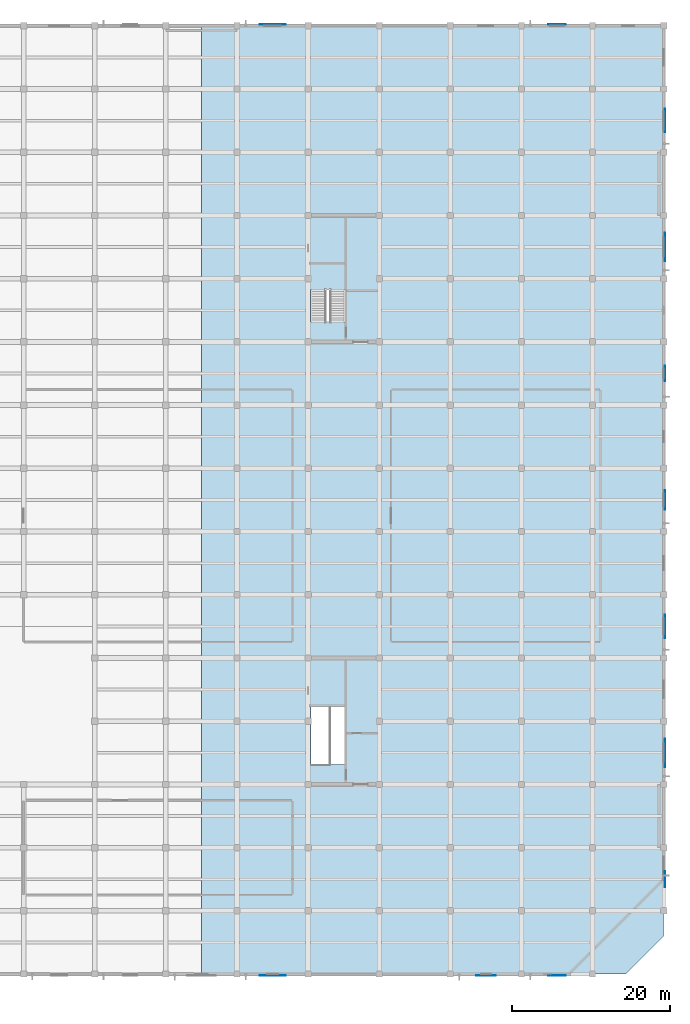
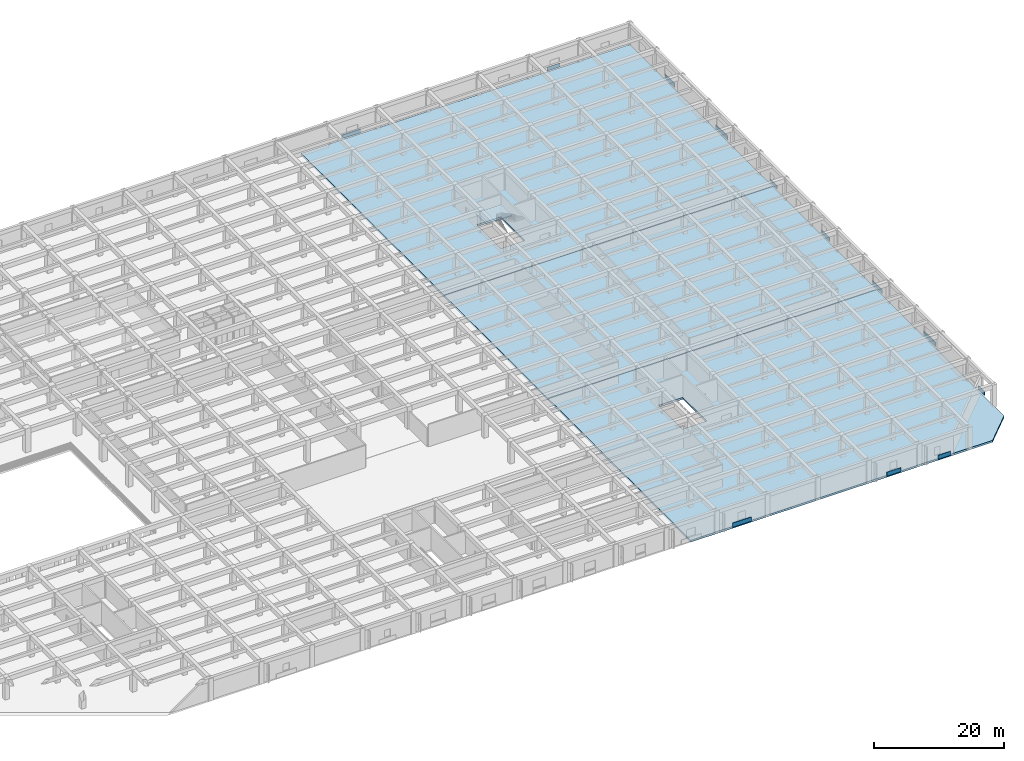
# One storey, part 8 of 32: 12 plates, 4 slabs, 1 element without a shape of its own.
"""IFC4 building model written with IfcOpenShell, lengths in metres."""

import ifcopenshell
import ifcopenshell.guid

model = None  # the IFC model being written
_history = None  # IfcOwnerHistory: only IFC2X3 demands one
_inside = {}  # id of a spatial element -> (the spatial element, [elements in it])
_under = {}  # id of a project, library or spatial element -> (it, [spatial elements below it])
_declared = {}  # id of a project -> (the project, [libraries it declares])
_typed = {}  # id of a type object -> (the type object, [elements of that type])
_made_of = {}  # id of a material, layer set ... -> (it, [elements and type objects made of it])


def new_model(schema):
    """Start an empty IFC model of exactly this schema.

    Asked for "IFC4X3", IfcOpenShell would pick the latest addendum, in which some entities
    have other attributes; the version numbers below select the first issue.
    IFC2X3 requires an IfcOwnerHistory on every rooted entity: one is made here for all.
    """
    global model, _history
    if schema == "IFC4X3":
        model = ifcopenshell.file(schema_version=(4, 3, 0, 0))
    else:
        model = ifcopenshell.file(schema=schema)
    _inside.clear()
    _under.clear()
    _declared.clear()
    _typed.clear()
    _made_of.clear()
    _history = None
    if model.schema == "IFC2X3":
        org = make("IfcOrganization", Name="unknown")
        user = make(
            "IfcPersonAndOrganization",
            ThePerson=make("IfcPerson", FamilyName="unknown"),
            TheOrganization=org,
        )
        app = make(
            "IfcApplication",
            ApplicationDeveloper=org,
            Version="unknown",
            ApplicationFullName="unknown",
            ApplicationIdentifier="unknown",
        )
        _history = make(
            "IfcOwnerHistory",
            OwningUser=user,
            OwningApplication=app,
            ChangeAction="ADDED",
            CreationDate=0,
        )
    return model


def make(cls, **values):
    """One entity of the class cls with the attributes given. An attribute that is None is left unset."""
    return model.create_entity(
        cls, **{name: value for name, value in values.items() if value is not None}
    )


def rooted(cls, **values):
    """An entity with a GlobalId (a new one), such as an element, a storey or a relation."""
    return make(cls, GlobalId=ifcopenshell.guid.new(), OwnerHistory=_history, **values)


def si_unit(unit_type, name, prefix=None):
    """IfcSIUnit, for example si_unit("LENGTHUNIT", "METRE", prefix="MILLI")."""
    return make("IfcSIUnit", UnitType=unit_type, Prefix=prefix, Name=name)


def assignment(units):
    """IfcUnitAssignment: the units of a project."""
    return None if units is None else make("IfcUnitAssignment", Units=units)


def point(xyz):
    """IfcCartesianPoint."""
    return None if xyz is None else make("IfcCartesianPoint", Coordinates=xyz)


def direction(xyz):
    """IfcDirection."""
    return None if xyz is None else make("IfcDirection", DirectionRatios=xyz)


def frame(location, z_axis=None, x_axis=None):
    """IfcAxis2Placement3D, a coordinate frame: its origin and axes. An axis left out is left unset."""
    return make(
        "IfcAxis2Placement3D",
        Location=point(location),
        Axis=direction(z_axis),
        RefDirection=direction(x_axis),
    )


def frame_2d(location, x_axis=None):
    """IfcAxis2Placement2D, a coordinate frame in the plane: its origin and x axis."""
    return make(
        "IfcAxis2Placement2D", Location=point(location), RefDirection=direction(x_axis)
    )


def origin():
    """The frame at (0, 0, 0) with its axes left unset."""
    return frame((0.0, 0.0, 0.0))


def place(relative_to, where):
    """IfcLocalPlacement: puts the frame where relative to a parent placement (None: the world)."""
    return make(
        "IfcLocalPlacement", PlacementRelTo=relative_to, RelativePlacement=where
    )


def context(
    kind, dimensions, precision=None, world=None, true_north=None, identifier=None
):
    """IfcGeometricRepresentationContext, for example the 3D "Model" context."""
    return make(
        "IfcGeometricRepresentationContext",
        ContextIdentifier=identifier,
        ContextType=kind,
        CoordinateSpaceDimension=dimensions,
        Precision=precision,
        WorldCoordinateSystem=world,
        TrueNorth=true_north,
    )


def subcontext(parent, identifier, kind, view, scale=None):
    """IfcGeometricRepresentationSubContext, for example "Body" below "Model"."""
    return make(
        "IfcGeometricRepresentationSubContext",
        ContextIdentifier=identifier,
        ContextType=kind,
        ParentContext=parent,
        TargetScale=scale,
        TargetView=view,
    )


def project(units=None, contexts=None):
    """IfcProject with its units and contexts."""
    return rooted(
        "IfcProject",
        Name="project",
        RepresentationContexts=contexts,
        UnitsInContext=assignment(units),
    )


def spatial(cls, under=None, at=None, **own):
    """A site, building, storey or space (cls), placed at a placement, below another one or the project."""
    s = rooted(cls, ObjectPlacement=at, **own)
    if under is not None:
        _under.setdefault(under.id(), (under, []))[1].append(s)
    return s


def polyline(points):
    """IfcPolyline through the points."""
    return make("IfcPolyline", Points=[point(p) for p in points])


def profile(cls, at=None, kind="AREA", **sizes):
    """A parametric profile (cls). Its sizes go by their IFC names, for example OverallWidth=200.0."""
    return make(cls, ProfileType=kind, Position=at, **sizes)


def rectangle(**sizes):
    """IfcRectangleProfileDef."""
    return profile("IfcRectangleProfileDef", **sizes)


def outline(outer, holes=None, kind="AREA"):
    """IfcArbitraryClosedProfileDef: a profile drawn as a closed curve; with holes, ...WithVoids."""
    if holes is None:
        return make("IfcArbitraryClosedProfileDef", ProfileType=kind, OuterCurve=outer)
    return make(
        "IfcArbitraryProfileDefWithVoids",
        ProfileType=kind,
        OuterCurve=outer,
        InnerCurves=holes,
    )


def extrude(swept, where, along, depth):
    """IfcExtrudedAreaSolid: the profile swept, set in the frame where, extruded along a direction by depth."""
    return make(
        "IfcExtrudedAreaSolid",
        SweptArea=swept,
        Position=where,
        ExtrudedDirection=direction(along),
        Depth=depth,
    )


def shape(context_of_items, identifier, shape_type, items):
    """IfcShapeRepresentation: the items that make up one representation, for example the "Body"."""
    return make(
        "IfcShapeRepresentation",
        ContextOfItems=context_of_items,
        RepresentationIdentifier=identifier,
        RepresentationType=shape_type,
        Items=items,
    )


def material(Name=None, Category=None):
    """IfcMaterial."""
    return make("IfcMaterial", Name=Name, Category=Category)


def layer(
    of_material, thickness, ventilated=None, Name=None, Category=None, Priority=None
):
    """IfcMaterialLayer: one layer of a wall or slab, of a material (None: an air gap)."""
    return make(
        "IfcMaterialLayer",
        Material=of_material,
        LayerThickness=thickness,
        IsVentilated=ventilated,
        Name=Name,
        Category=Category,
        Priority=Priority,
    )


def layer_set(layers, Name=None):
    """IfcMaterialLayerSet."""
    return make("IfcMaterialLayerSet", MaterialLayers=layers, LayerSetName=Name)


def made_of(thing, what):
    """Note that an element or type object is made of a material, layer set ...; save() writes the relation."""
    if what is not None:
        _made_of.setdefault(what.id(), (what, []))[1].append(thing)
    return thing


def type_object(cls, material=None, **own):
    """A type object (cls), such as IfcWallType, which elements share."""
    return made_of(rooted(cls, **own), material)


def element(
    cls,
    number,
    at=None,
    inside=None,
    cuts=None,
    type_object=None,
    material=None,
    context=None,
    identifier="Body",
    shape_type=None,
    held_by="IfcProductDefinitionShape",
    body=None,
    shapes=None,
    **own,
):
    """One element of the class cls, such as IfcWall. Its Tag is "e" and its number.

    at: its placement. inside: the storey or other place that contains it. cuts: it is an
    opening in that element (IfcRelVoidsElement). A single representation is given by context,
    identifier, shape_type and body (its items); several are given by shapes. held_by: the class
    of the entity that holds the representations. save() writes the other relations.
    """
    e = rooted(cls, Tag="e%d" % number, ObjectPlacement=at, **own)
    if body is not None:
        shapes = [shape(context, identifier, shape_type, body)]
    if shapes is not None:
        e.Representation = make(held_by, Representations=shapes)
    if inside is not None:
        _inside.setdefault(inside.id(), (inside, []))[1].append(e)
    if cuts is not None:
        rooted(
            "IfcRelVoidsElement", RelatingBuildingElement=cuts, RelatedOpeningElement=e
        )
    if type_object is not None:
        _typed.setdefault(type_object.id(), (type_object, []))[1].append(e)
    return made_of(e, material)


def aggregate(whole, parts):
    """IfcRelAggregates: a whole, such as a stair, and the parts it consists of."""
    return rooted("IfcRelAggregates", RelatingObject=whole, RelatedObjects=parts)


def save(model, path):
    """Write the relations noted so far, then the file.

    IfcRelAggregates (storeys below a building ...), IfcRelContainedInSpatialStructure (elements
    in a storey), IfcRelDefinesByType, IfcRelAssociatesMaterial and IfcRelDeclares: one each for
    every whole, place, type object, material and project.
    """
    for whole, parts in _under.values():
        aggregate(whole, parts)
    for where, things in _inside.values():
        rooted(
            "IfcRelContainedInSpatialStructure",
            RelatedElements=things,
            RelatingStructure=where,
        )
    for kind, things in _typed.values():
        rooted("IfcRelDefinesByType", RelatedObjects=things, RelatingType=kind)
    for what, things in _made_of.values():
        rooted("IfcRelAssociatesMaterial", RelatedObjects=things, RelatingMaterial=what)
    for by, libraries in _declared.values():
        rooted("IfcRelDeclares", RelatingContext=by, RelatedDefinitions=libraries)
    model.write(path)


model = new_model("IFC4")

# Units and contexts
model_context = context("Model", 3, precision=1e-05, world=origin(), true_north=direction((0.0, 1.0)))
body_context = subcontext(model_context, "Body", "Model", "MODEL_VIEW")
ifc_project = project(units=[si_unit("LENGTHUNIT", "METRE"), si_unit("AREAUNIT", "SQUARE_METRE"), si_unit("VOLUMEUNIT", "CUBIC_METRE"), si_unit("PLANEANGLEUNIT", "RADIAN"), si_unit("MASSUNIT", "GRAM", prefix="KILO")], contexts=[model_context])

# Site, building, storey
site_placement = place(None, origin())
site = spatial("IfcSite", under=ifc_project, at=site_placement, CompositionType="ELEMENT")
building_placement = place(site_placement, origin())
building = spatial("IfcBuilding", under=site, at=building_placement, Name="Zaverband Oceanarium and Marine Research Institute", CompositionType="ELEMENT")
storey_placement = place(building_placement, frame((0.0, 0.0, 13.5)))
storey = spatial("IfcBuildingStorey", under=building, at=storey_placement, Name="L03", CompositionType="ELEMENT", Elevation=13.5)

# Plates
ifc_material_1 = material(Name="Concrete C40/50 precast ochre", Category="concrete")
ifc_layer_1 = layer(ifc_material_1, 0.070068359375, Name="Concrete C40/50 precast ochre")
ifc_layer_set_1 = layer_set([ifc_layer_1], Name="Concrete C40/50 precast ochre")
plate_type_1 = type_object("IfcPlateType", Name="FRP-2000x720", PredefinedType="USERDEFINED", material=ifc_layer_set_1)
for number, where, z_axis, x_axis, name in (
    (1, (180.1650390625, 11.0, 0.0), (0.0, 0.0, 1.0), (0.0, 1.0, 0.0), "Geometric precast facade cladding panel FRP-2000x720"),
    (2, (180.175048828125, 75.0, 0.0), (0.0, 0.0, 1.0), (0.0, 1.0, 0.0), "Geometric precast facade cladding panel FRP-2000x720"),
):
    element("IfcPlate", number, at=place(storey_placement, frame(where, z_axis=z_axis, x_axis=x_axis)), inside=storey, type_object=plate_type_1, Name=name, ObjectType="FLANGE_PLATE", PredefinedType="USERDEFINED", context=body_context, shape_type="SweptSolid", body=[
        extrude(rectangle(XDim=2.0, YDim=0.070068359375, at=frame_2d((1.0, 0.0))), origin(), (0.0, 0.0, 1.0), 0.719970703125),
    ])
ifc_layer_2 = layer(ifc_material_1, 0.074951171875, Name="Concrete C40/50 precast ochre")
ifc_layer_set_2 = layer_set([ifc_layer_2], Name="Concrete C40/50 precast ochre")
plate_type_2 = type_object("IfcPlateType", Name="FRP-2250x740", PredefinedType="USERDEFINED", material=ifc_layer_set_2)
for number, where, z_axis, x_axis, name in (
    (3, (165.375, -0.177490234375, 0.0), (0.0, 0.0, 1.0), (1.0, 0.0, 0.0), "Geometric precast facade cladding panel FRP-2250x740"),
    (4, (165.375, 120.177490234375, 0.0), (0.0, 0.0, 1.0), (1.0, 0.0, 0.0), "Geometric precast facade cladding panel FRP-2250x740"),
):
    element("IfcPlate", number, at=place(storey_placement, frame(where, z_axis=z_axis, x_axis=x_axis)), inside=storey, type_object=plate_type_2, Name=name, ObjectType="FLANGE_PLATE", PredefinedType="USERDEFINED", context=body_context, shape_type="SweptSolid", body=[
        extrude(rectangle(XDim=2.25, YDim=0.074951171875, at=frame_2d((1.125, 0.0))), origin(), (0.0, 0.0, 1.0), 0.739990234375),
    ])
ifc_layer_3 = layer(ifc_material_1, 0.074951171875, Name="Concrete C40/50 precast ochre")
ifc_layer_set_3 = layer_set([ifc_layer_3], Name="Concrete C40/50 precast ochre")
plate_type_3 = type_object("IfcPlateType", Name="FRP-2500x750", PredefinedType="USERDEFINED", material=ifc_layer_set_3)
for number, where, z_axis, x_axis, name in (
    (5, (156.25, -0.1923828125, 0.0), (0.0, 0.0, 1.0), (1.0, 0.0, 0.0), "Geometric precast facade cladding panel FRP-2500x750"),
    (6, (180.16748046875, 58.75, 0.0), (0.0, 0.0, 1.0), (0.0, 1.0, 0.0), "Geometric precast facade cladding panel FRP-2500x750"),
):
    element("IfcPlate", number, at=place(storey_placement, frame(where, z_axis=z_axis, x_axis=x_axis)), inside=storey, type_object=plate_type_3, Name=name, ObjectType="FLANGE_PLATE", PredefinedType="USERDEFINED", context=body_context, shape_type="SweptSolid", body=[
        extrude(rectangle(XDim=2.5, YDim=0.074951171875, at=frame_2d((1.25, 0.0))), origin(), (0.0, 0.0, 1.0), 0.75),
    ])
ifc_layer_4 = layer(ifc_material_1, 0.080078125, Name="Concrete C40/50 precast ochre")
ifc_layer_set_4 = layer_set([ifc_layer_4], Name="Concrete C40/50 precast ochre")
plate_type_4 = type_object("IfcPlateType", Name="FRP-3000x780", PredefinedType="USERDEFINED", material=ifc_layer_set_4)
for number, where, z_axis, x_axis, name in (
    (7, (180.157470703125, 42.5, 0.0), (0.0, 0.0, 1.0), (0.0, 1.0, 0.0), "Geometric precast facade cladding panel FRP-3000x780"),
    (8, (180.169921875, 106.5, 0.0), (0.0, 0.0, 1.0), (0.0, 1.0, 0.0), "Geometric precast facade cladding panel FRP-3000x780"),
):
    element("IfcPlate", number, at=place(storey_placement, frame(where, z_axis=z_axis, x_axis=x_axis)), inside=storey, type_object=plate_type_4, Name=name, ObjectType="FLANGE_PLATE", PredefinedType="USERDEFINED", context=body_context, shape_type="SweptSolid", body=[
        extrude(rectangle(XDim=3.0, YDim=0.080078125, at=frame_2d((1.5, 0.0))), origin(), (0.0, 0.0, 1.0), 0.780029296875),
    ])
ifc_layer_5 = layer(ifc_material_1, 0.0849609375, Name="Concrete C40/50 precast ochre")
ifc_layer_set_5 = layer_set([ifc_layer_5], Name="Concrete C40/50 precast ochre")
plate_type_5 = type_object("IfcPlateType", Name="FRP-3300x800", PredefinedType="USERDEFINED", material=ifc_layer_set_5)
for number, where, z_axis, x_axis, name in (
    (9, (128.85009765625, -0.1826171875, 0.0), (0.0, 0.0, 1.0), (1.0, 0.0, 0.0), "Geometric precast facade cladding panel FRP-3300x800"),
    (10, (128.85009765625, 120.1826171875, 0.0), (0.0, 0.0, 1.0), (1.0, 0.0, 0.0), "Geometric precast facade cladding panel FRP-3300x800"),
):
    element("IfcPlate", number, at=place(storey_placement, frame(where, z_axis=z_axis, x_axis=x_axis)), inside=storey, type_object=plate_type_5, Name=name, ObjectType="FLANGE_PLATE", PredefinedType="USERDEFINED", context=body_context, shape_type="SweptSolid", body=[
        extrude(rectangle(XDim=3.2998046875, YDim=0.0849609375, at=frame_2d((1.64990234375, 0.0))), origin(), (0.0, 0.0, 1.0), 0.800048828125),
    ])
ifc_layer_6 = layer(ifc_material_1, 0.0849609375, Name="Concrete C40/50 precast ochre")
ifc_layer_set_6 = layer_set([ifc_layer_6], Name="Concrete C40/50 precast ochre")
plate_type_6 = type_object("IfcPlateType", Name="FRP-3600x800", PredefinedType="USERDEFINED", material=ifc_layer_set_6)
for number, where, z_axis, x_axis, name in (
    (11, (180.1826171875, 26.199951171875, 0.0), (0.0, 0.0, 1.0), (0.0, 1.0, 0.0), "Geometric precast facade cladding panel FRP-3600x800"),
    (12, (180.159912109375, 90.199951171875, 0.0), (0.0, 0.0, 1.0), (0.0, 1.0, 0.0), "Geometric precast facade cladding panel FRP-3600x800"),
):
    element("IfcPlate", number, at=place(storey_placement, frame(where, z_axis=z_axis, x_axis=x_axis)), inside=storey, type_object=plate_type_6, Name=name, ObjectType="FLANGE_PLATE", PredefinedType="USERDEFINED", context=body_context, shape_type="SweptSolid", body=[
        extrude(rectangle(XDim=3.60009765625, YDim=0.0849609375, at=frame_2d((1.800048828125, 0.0))), origin(), (0.0, 0.0, 1.0), 0.800048828125),
    ])

# Stair, slab
ifc_material_2 = material(Name="Concrete C40/50", Category="concrete")
stair_type = type_object("IfcStairType", Name="STR-POD-1800-4500", PredefinedType="HALF_TURN_STAIR", material=ifc_material_2)
stair_placement = place(storey_placement, origin())
stair = element("IfcStair", 13, at=stair_placement, inside=storey, type_object=stair_type, Name="Exit Stair ST-05 (L03)", PredefinedType="HALF_TURN_STAIR")
ifc_layer_7 = layer(ifc_material_2, 0.219970703125, Name="Concrete C40/50")
ifc_layer_set_7 = layer_set([ifc_layer_7], Name="Concrete C40/50")
slab_type_1 = type_object("IfcSlabType", Name="SLB-LND-220", PredefinedType="LANDING", material=ifc_layer_set_7)
slab_1_placement = place(storey_placement, frame((0.0, 0.0, 2.030029296875)))
slab_1 = element("IfcSlab", 14, at=slab_1_placement, type_object=slab_type_1, Name="Stair / ramp landing slab SLB-LND-220", PredefinedType="LANDING", context=body_context, shape_type="SweptSolid", body=[
    extrude(outline(polyline([(135.139892578125, 86.570068359375), (139.735107421875, 86.570068359375), (139.735107421875, 89.93505859375), (135.139892578125, 89.93505859375), (135.139892578125, 86.570068359375)])), origin(), (0.0, 0.0, 1.0), 0.219970703125),
])
aggregate(stair, [slab_1])

# Slabs
ifc_layer_8 = layer(ifc_material_2, 0.360107421875, Name="Concrete C40/50")
ifc_layer_set_8 = layer_set([ifc_layer_8], Name="Concrete C40/50")
slab_type_2 = type_object("IfcSlabType", Name="SLB-LSS-360", PredefinedType="FLOOR", material=ifc_layer_set_8)
slab_2_placement = place(storey_placement, frame((0.0, 0.0, -0.360107421875)))
element("IfcSlab", 15, at=slab_2_placement, inside=storey, type_object=slab_type_2, Name="Suspended floor slab SLB-LSS-360", PredefinedType="FLOOR", context=body_context, shape_type="SweptSolid", body=[
    extrude(outline(polyline([(121.514892578125, 43.985107421875), (180.0, 43.985107421875), (180.0, 4.800048828125), (175.199951171875, 0.0), (121.514892578125, 0.0), (121.514892578125, 43.985107421875)]), holes=[polyline([(139.64990234375, 33.85009765625), (135.35009765625, 33.85009765625), (135.35009765625, 26.5), (139.64990234375, 26.5), (139.64990234375, 33.85009765625)])]), origin(), (0.0, 0.0, 1.0), 0.360107421875),
])
slab_3_placement = place(storey_placement, frame((0.0, 0.0, -0.360107421875)))
element("IfcSlab", 16, at=slab_3_placement, inside=storey, type_object=slab_type_2, Name="Suspended floor slab SLB-LSS-360", PredefinedType="FLOOR", context=body_context, shape_type="SweptSolid", body=[
    extrude(outline(polyline([(121.514892578125, 75.985107421875), (180.0, 75.985107421875), (180.0, 44.014892578125), (121.514892578125, 44.014892578125), (121.514892578125, 75.985107421875)])), origin(), (0.0, 0.0, 1.0), 0.360107421875),
])
slab_4_placement = place(storey_placement, frame((0.0, 0.0, -0.360107421875)))
element("IfcSlab", 17, at=slab_4_placement, inside=storey, type_object=slab_type_2, Name="Suspended floor slab SLB-LSS-360", PredefinedType="FLOOR", context=body_context, shape_type="SweptSolid", body=[
    extrude(outline(polyline([(121.514892578125, 120.0), (180.0, 120.0), (180.0, 76.014892578125), (121.514892578125, 76.014892578125), (121.514892578125, 120.0)]), holes=[polyline([(139.64990234375, 89.85009765625), (135.35009765625, 89.85009765625), (135.35009765625, 82.5), (139.64990234375, 82.5), (139.64990234375, 89.85009765625)])]), origin(), (0.0, 0.0, 1.0), 0.360107421875),
])

save(model, "model.ifc")
